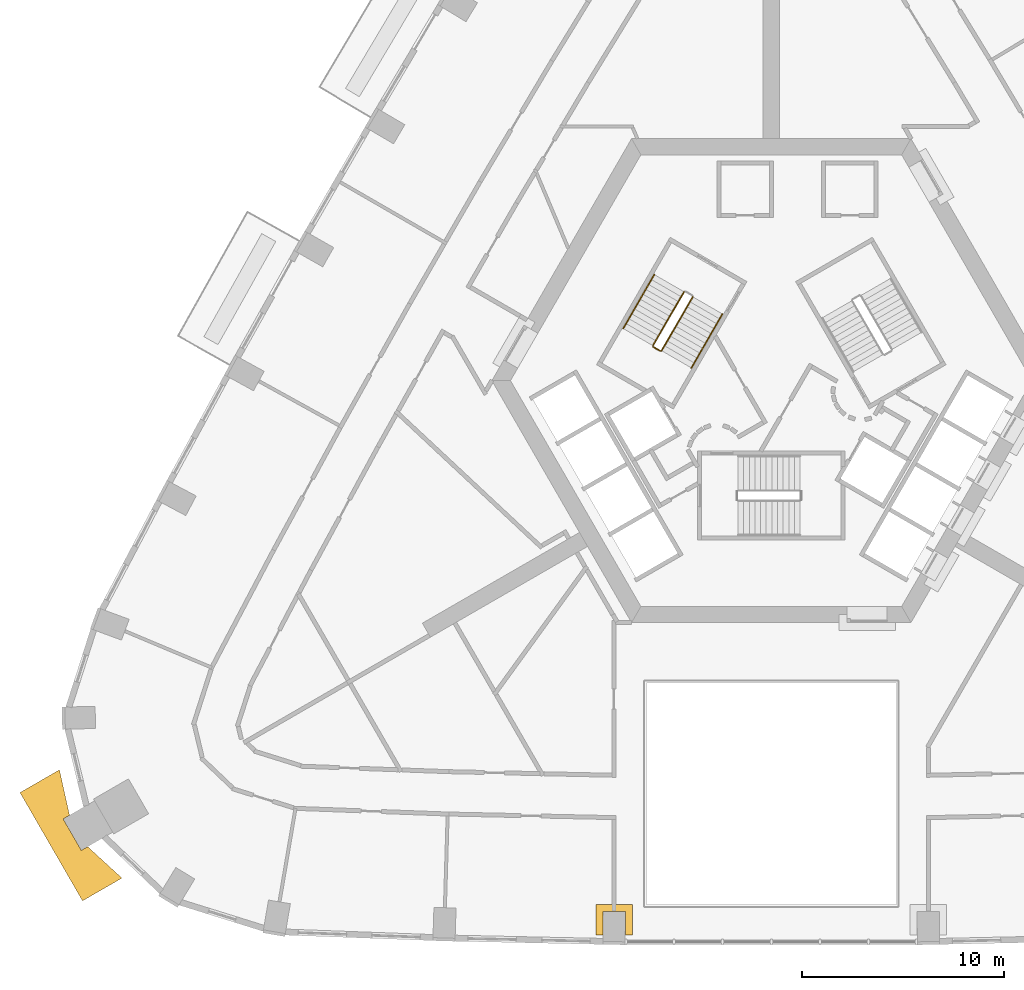
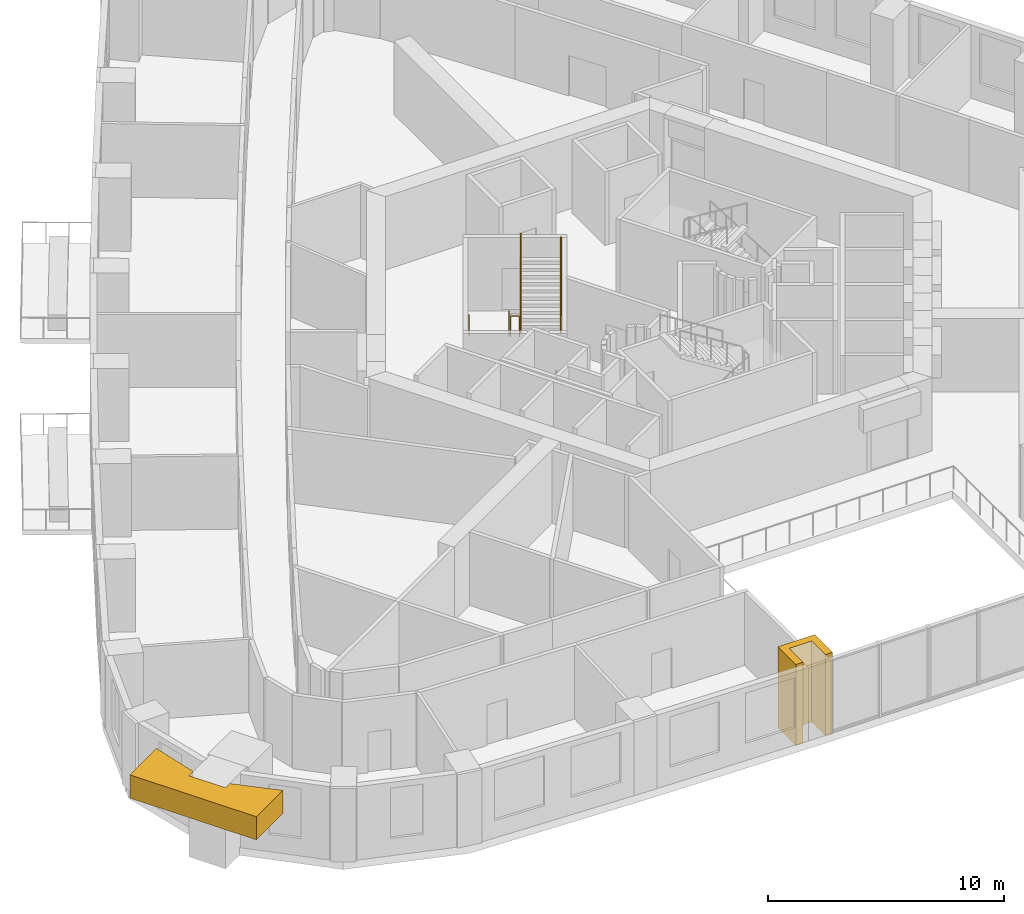
# One storey, part 12 of 15: 5 railings, 2 coverings.
"""IFC4 building model written with IfcOpenShell, lengths in metres."""

from ifc_helpers import new_model, si_unit, direction, frame, origin, origin_2d, place, context, subcontext, project, spatial, polyline, circle, outline, extrude, material, type_object, element, save


model = new_model("IFC4")

# Units and contexts
model_context = context("Model", 3, precision=1e-05, world=origin(), true_north=direction((0.0, 1.0)))
body_context = subcontext(model_context, "Body", "Model", "MODEL_VIEW")
ifc_project = project(units=[si_unit("LENGTHUNIT", "METRE"), si_unit("AREAUNIT", "SQUARE_METRE"), si_unit("VOLUMEUNIT", "CUBIC_METRE"), si_unit("PLANEANGLEUNIT", "RADIAN"), si_unit("MASSUNIT", "GRAM", prefix="KILO")], contexts=[model_context])

# Site, building, storey
site_placement = place(None, origin())
site = spatial("IfcSite", under=ifc_project, at=site_placement, CompositionType="ELEMENT")
building_placement = place(site_placement, origin())
building = spatial("IfcBuilding", under=site, at=building_placement, Name="Entoto Arch Interchange Tower", CompositionType="ELEMENT")
storey_placement = place(building_placement, frame((0.0, 0.0, 171.800048828125)))
storey = spatial("IfcBuildingStorey", under=building, at=storey_placement, Name="L38", CompositionType="ELEMENT", Elevation=171.800048828125)

# Coverings
ifc_material_1 = material(Name="Board-marked precast concrete C50/60", Category="concrete")
covering_type = type_object("IfcCoveringType", Name="PRECAST FRAME COURSE", PredefinedType="CLADDING", material=ifc_material_1)
covering_1_placement = place(storey_placement, frame((0.0, 0.0, 2.599853515625)))
element("IfcCovering", 1, at=covering_1_placement, inside=storey, type_object=covering_type, Name="Corner pilaster head SW L36-L38", PredefinedType="CLADDING", context=body_context, shape_type="SweptSolid", body=[
    extrude(outline(polyline([(-34.157958984375, -23.300048828125), (-37.258056640625, -17.929931640625), (-35.302001953125, -16.801025390625), (-34.802978515625, -19.053955078125), (-35.117919921875, -19.236083984375), (-34.218017578125, -20.7939453125), (-33.903076171875, -20.612060546875), (-32.201904296875, -22.1708984375), (-34.157958984375, -23.300048828125)])), origin(), (0.0, 0.0, 1.0), 1.2001953125),
])
covering_2_placement = place(storey_placement, frame((0.0, 0.0, -0.400146484375)))
element("IfcCovering", 2, at=covering_2_placement, inside=storey, type_object=covering_type, Name="Gate pier L38", PredefinedType="CLADDING", context=body_context, shape_type="SweptSolid", body=[
    extrude(outline(polyline([(-8.68896484375, -23.472900390625), (-6.888916015625, -23.472900390625), (-6.888916015625, -24.9990234375), (-7.239013671875, -24.9990234375), (-7.239013671875, -23.822998046875), (-8.339111328125, -23.822998046875), (-8.339111328125, -24.9990234375), (-8.68896484375, -24.9990234375), (-8.68896484375, -23.472900390625)])), origin(), (0.0, 0.0, 1.0), 4.2001953125),
])

# Railings
ifc_material_2 = material(Name="Stainless steel 1.4301", Category="steel")
railing_type_1 = type_object("IfcRailingType", Name="STAIR GUARD 1100 STEEL", PredefinedType="GUARDRAIL", material=ifc_material_2)
railing_1_placement = place(storey_placement, frame((-4.327880859375, 6.904052734375, 0.175048828125)))
element("IfcRailing", 3, at=railing_1_placement, inside=storey, type_object=railing_type_1, Name="L38 ST-NW stair guard 1", PredefinedType="GUARDRAIL", context=body_context, shape_type="SweptSolid", body=[
    extrude(circle(Radius=0.02392578125, at=origin_2d()), frame((0.0, 0.0, 1.076171875), z_axis=(-0.424009578203, -0.734421155904, 0.529944755001), x_axis=(0.866029832698, -0.499992328818, 0.0)), (0.0, 0.0, 1.0), 3.632080078125),
    extrude(circle(Radius=0.02099609375, at=origin_2d()), origin(), (0.0, 0.0, 1.0), 1.052001953125),
    extrude(circle(Radius=0.02099609375, at=origin_2d()), frame((-0.385009765625, -0.6669921875, 0.481201171875)), (0.0, 0.0, 1.0), 1.052001953125),
    extrude(circle(Radius=0.02099609375, at=origin_2d()), frame((-0.77001953125, -1.333740234375, 0.96240234375)), (0.0, 0.0, 1.0), 1.052001953125),
    extrude(circle(Radius=0.02099609375, at=origin_2d()), frame((-1.155029296875, -2.00048828125, 1.443603515625)), (0.0, 0.0, 1.0), 1.052001953125),
    extrude(circle(Radius=0.02099609375, at=origin_2d()), frame((-1.5400390625, -2.66748046875, 1.9248046875)), (0.0, 0.0, 1.0), 1.052001953125),
])
railing_2_placement = place(storey_placement, frame((-5.849609375, 4.168212890625, 2.099853515625)))
element("IfcRailing", 4, at=railing_2_placement, inside=storey, type_object=railing_type_1, Name="L38 ST-NW stair guard 2", PredefinedType="GUARDRAIL", context=body_context, shape_type="SweptSolid", body=[
    extrude(circle(Radius=0.02392578125, at=origin_2d()), frame((0.0, 0.0, 1.076171875), z_axis=(0.866094119867, -0.499880961361, 0.0), x_axis=(0.499880961361, 0.866094119867, 0.0)), (0.0, 0.0, 1.0), 0.39990234375),
    extrude(circle(Radius=0.02099609375, at=origin_2d()), origin(), (0.0, 0.0, 1.0), 1.052001953125),
    extrude(circle(Radius=0.02099609375, at=origin_2d()), frame((0.346435546875, -0.199951171875, 0.0)), (0.0, 0.0, 1.0), 1.052001953125),
])
railing_3_placement = place(storey_placement, frame((-5.434814453125, 3.986572265625, 2.27490234375)))
element("IfcRailing", 5, at=railing_3_placement, inside=storey, type_object=railing_type_1, Name="L38 ST-NW stair guard 3", PredefinedType="GUARDRAIL", context=body_context, shape_type="SweptSolid", body=[
    extrude(circle(Radius=0.02392578125, at=origin_2d()), frame((0.0, 0.0, 1.076171875), z_axis=(0.423994474112, 0.734394994316, 0.52999309264), x_axis=(-0.866029832698, 0.499992328818, 0.0)), (0.0, 0.0, 1.0), 3.63232421875),
    extrude(circle(Radius=0.02099609375, at=origin_2d()), origin(), (0.0, 0.0, 1.0), 1.052001953125),
    extrude(circle(Radius=0.02099609375, at=origin_2d()), frame((0.385009765625, 0.6669921875, 0.481201171875)), (0.0, 0.0, 1.0), 1.052001953125),
    extrude(circle(Radius=0.02099609375, at=origin_2d()), frame((0.77001953125, 1.333740234375, 0.96240234375)), (0.0, 0.0, 1.0), 1.052001953125),
    extrude(circle(Radius=0.02099609375, at=origin_2d()), frame((1.155029296875, 2.00048828125, 1.44384765625)), (0.0, 0.0, 1.0), 1.052001953125),
    extrude(circle(Radius=0.02099609375, at=origin_2d()), frame((1.5400390625, 2.66748046875, 1.925048828125)), (0.0, 0.0, 1.0), 1.052001953125),
])
railing_type_2 = type_object("IfcRailingType", Name="STAIR HANDRAIL 900 STEEL", PredefinedType="HANDRAIL", material=ifc_material_2)
railing_4_placement = place(storey_placement, frame((-5.800048828125, 7.75390625, 0.175048828125)))
element("IfcRailing", 6, at=railing_4_placement, inside=storey, type_object=railing_type_2, Name="L38 ST-NW stair handrail 1", PredefinedType="HANDRAIL", context=body_context, shape_type="SweptSolid", body=[
    extrude(circle(Radius=0.02392578125, at=origin_2d()), frame((0.0, 0.0, 0.8759765625), z_axis=(-0.42403051051, -0.734390191396, 0.529970917068), x_axis=(0.866010015463, -0.500026652407, 0.0)), (0.0, 0.0, 1.0), 3.6318359375),
    extrude(circle(Radius=0.02099609375, at=origin_2d()), origin(), (0.0, 0.0, 1.0), 0.851806640625),
    extrude(circle(Radius=0.02099609375, at=origin_2d()), frame((-0.385009765625, -0.666748046875, 0.481201171875)), (0.0, 0.0, 1.0), 0.851806640625),
    extrude(circle(Radius=0.02099609375, at=origin_2d()), frame((-0.77001953125, -1.33349609375, 0.96240234375)), (0.0, 0.0, 1.0), 0.851806640625),
    extrude(circle(Radius=0.02099609375, at=origin_2d()), frame((-1.155029296875, -2.00048828125, 1.443603515625)), (0.0, 0.0, 1.0), 0.851806640625),
    extrude(circle(Radius=0.02099609375, at=origin_2d()), frame((-1.5400390625, -2.667236328125, 1.9248046875)), (0.0, 0.0, 1.0), 0.851806640625),
])
railing_5_placement = place(storey_placement, frame((-3.962646484375, 3.136474609375, 2.27490234375)))
element("IfcRailing", 7, at=railing_5_placement, inside=storey, type_object=railing_type_2, Name="L38 ST-NW stair handrail 2", PredefinedType="HANDRAIL", context=body_context, shape_type="SweptSolid", body=[
    extrude(circle(Radius=0.02392578125, at=origin_2d()), frame((0.0, 0.0, 0.8759765625), z_axis=(0.423994474112, 0.734394994316, 0.52999309264), x_axis=(-0.866029832698, 0.499992328818, 0.0)), (0.0, 0.0, 1.0), 3.63232421875),
    extrude(circle(Radius=0.02099609375, at=origin_2d()), origin(), (0.0, 0.0, 1.0), 0.851806640625),
    extrude(circle(Radius=0.02099609375, at=origin_2d()), frame((0.385009765625, 0.6669921875, 0.481201171875)), (0.0, 0.0, 1.0), 0.851806640625),
    extrude(circle(Radius=0.02099609375, at=origin_2d()), frame((0.77001953125, 1.333740234375, 0.96240234375)), (0.0, 0.0, 1.0), 0.851806640625),
    extrude(circle(Radius=0.02099609375, at=origin_2d()), frame((1.155029296875, 2.00048828125, 1.44384765625)), (0.0, 0.0, 1.0), 0.851806640625),
    extrude(circle(Radius=0.02099609375, at=origin_2d()), frame((1.5400390625, 2.66748046875, 1.925048828125)), (0.0, 0.0, 1.0), 0.851806640625),
])

save(model, "model.ifc")
